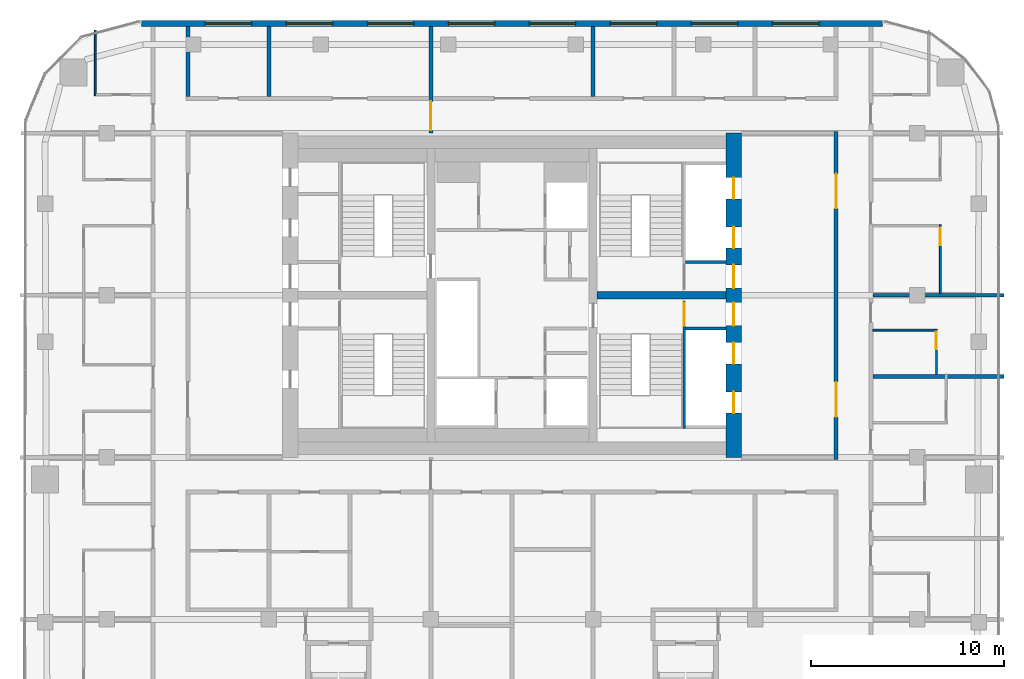
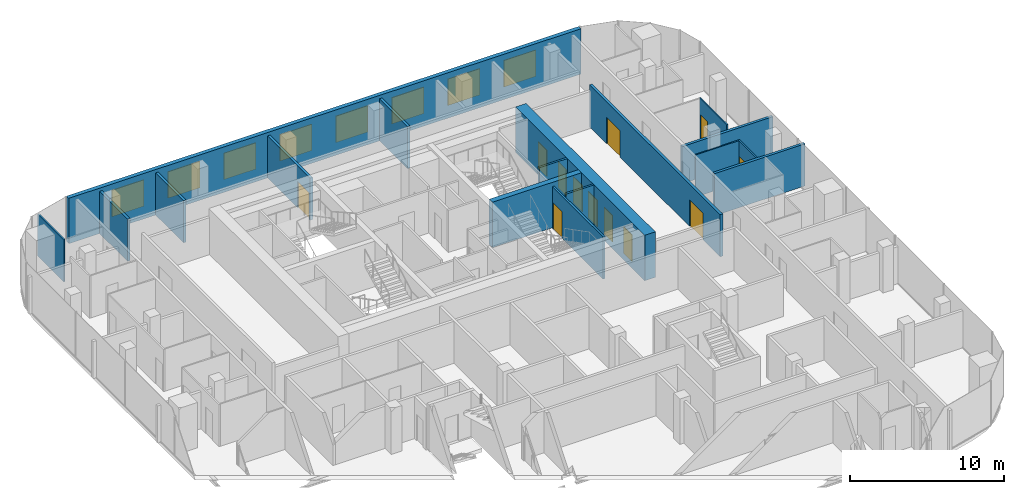
# One storey, part 19 of 21: 17 walls, 12 doors, 8 windows, 20 openings.
"""IFC4 building model written with IfcOpenShell, lengths in metres."""

from ifc_helpers import new_model, si_unit, direction, frame, frame_2d, origin, place, context, subcontext, project, spatial, rectangle, extrude, material, layer, layer_set, type_object, element, fill, save


model = new_model("IFC4")

# Units and contexts
model_context = context("Model", 3, precision=1e-05, world=origin(), true_north=direction((0.0, 1.0)))
body_context = subcontext(model_context, "Body", "Model", "MODEL_VIEW")
ifc_project = project(units=[si_unit("LENGTHUNIT", "METRE"), si_unit("AREAUNIT", "SQUARE_METRE"), si_unit("VOLUMEUNIT", "CUBIC_METRE"), si_unit("PLANEANGLEUNIT", "RADIAN"), si_unit("MASSUNIT", "GRAM", prefix="KILO")], contexts=[model_context])

# Site, building, storey
site_placement = place(None, origin())
site = spatial("IfcSite", under=ifc_project, at=site_placement, CompositionType="ELEMENT")
building_placement = place(site_placement, origin())
building = spatial("IfcBuilding", under=site, at=building_placement, Name="Marenta Gate Hotel Tower", CompositionType="ELEMENT")
storey_placement = place(building_placement, frame((0.0, 0.0, 245.300048828125)))
storey = spatial("IfcBuildingStorey", under=building, at=storey_placement, Name="L58", CompositionType="ELEMENT", Elevation=245.300048828125)

# Wall, openings, windows
ifc_material_1 = material(Name="Concrete C40 board-marked", Category="concrete")
ifc_layer_1 = layer(ifc_material_1, 0.300048828125)
ifc_layer_set_1 = layer_set([ifc_layer_1], Name="Concrete C40 board-marked")
wall_type_1 = type_object("IfcWallType", Name="Board-marked concrete wall 300 mm", PredefinedType="NOTDEFINED", material=ifc_layer_set_1)
wall_1_placement = place(storey_placement, frame((19.205810546875, 22.489990234375, 0.0), z_axis=(0.0, 0.0, 1.0), x_axis=(-1.0, 0.0, 0.0)))
wall_1 = element("IfcWall", 1, at=wall_1_placement, inside=storey, type_object=wall_type_1, Name="L58-CLD-N00", PredefinedType="NOTDEFINED", context=body_context, shape_type="SweptSolid", body=[
    extrude(rectangle(XDim=38.41162109375, YDim=0.300048828125, at=frame_2d((19.205810546875, 0.0))), origin(), (0.0, 0.0, 1.0), 3.599853515625),
])
opening_1_placement = place(wall_1_placement, frame((3.305908203125, 0.0, 0.89990234375)))
opening_1 = element("IfcOpeningElement", 2, at=opening_1_placement, cuts=wall_1, Name="Opening W1", PredefinedType="OPENING", context=body_context, shape_type="SweptSolid", body=[
    extrude(rectangle(XDim=2.39990234375, YDim=2.10009765625, at=frame_2d((1.199951171875, 1.050048828125))), frame((0.0, 0.14990234375, 0.0), z_axis=(0.0, -1.0, 0.0), x_axis=(1.0, 0.0, 0.0)), (0.0, 0.0, 1.0), 0.300048828125),
])
opening_2_placement = place(wall_1_placement, frame((7.505859375, 0.0, 0.89990234375)))
opening_2 = element("IfcOpeningElement", 3, at=opening_2_placement, cuts=wall_1, Name="Opening W1", PredefinedType="OPENING", context=body_context, shape_type="SweptSolid", body=[
    extrude(rectangle(XDim=2.39990234375, YDim=2.10009765625, at=frame_2d((1.199951171875, 1.050048828125))), frame((0.0, 0.14990234375, 0.0), z_axis=(0.0, -1.0, 0.0), x_axis=(1.0, 0.0, 0.0)), (0.0, 0.0, 1.0), 0.300048828125),
])
opening_3_placement = place(wall_1_placement, frame((11.705810546875, 0.0, 0.89990234375)))
opening_3 = element("IfcOpeningElement", 4, at=opening_3_placement, cuts=wall_1, Name="Opening W1", PredefinedType="OPENING", context=body_context, shape_type="SweptSolid", body=[
    extrude(rectangle(XDim=2.39990234375, YDim=2.10009765625, at=frame_2d((1.199951171875, 1.050048828125))), frame((0.0, 0.14990234375, 0.0), z_axis=(0.0, -1.0, 0.0), x_axis=(1.0, 0.0, 0.0)), (0.0, 0.0, 1.0), 0.300048828125),
])
opening_4_placement = place(wall_1_placement, frame((15.906005859375, 0.0, 0.89990234375)))
opening_4 = element("IfcOpeningElement", 5, at=opening_4_placement, cuts=wall_1, Name="Opening W1", PredefinedType="OPENING", context=body_context, shape_type="SweptSolid", body=[
    extrude(rectangle(XDim=2.39990234375, YDim=2.10009765625, at=frame_2d((1.199951171875, 1.050048828125))), frame((0.0, 0.14990234375, 0.0), z_axis=(0.0, -1.0, 0.0), x_axis=(1.0, 0.0, 0.0)), (0.0, 0.0, 1.0), 0.300048828125),
])
opening_5_placement = place(wall_1_placement, frame((20.10595703125, 0.0, 0.89990234375)))
opening_5 = element("IfcOpeningElement", 6, at=opening_5_placement, cuts=wall_1, Name="Opening W1", PredefinedType="OPENING", context=body_context, shape_type="SweptSolid", body=[
    extrude(rectangle(XDim=2.39990234375, YDim=2.10009765625, at=frame_2d((1.199951171875, 1.050048828125))), frame((0.0, 0.14990234375, 0.0), z_axis=(0.0, -1.0, 0.0), x_axis=(1.0, 0.0, 0.0)), (0.0, 0.0, 1.0), 0.300048828125),
])
opening_6_placement = place(wall_1_placement, frame((24.305908203125, 0.0, 0.89990234375)))
opening_6 = element("IfcOpeningElement", 7, at=opening_6_placement, cuts=wall_1, Name="Opening W1", PredefinedType="OPENING", context=body_context, shape_type="SweptSolid", body=[
    extrude(rectangle(XDim=2.39990234375, YDim=2.10009765625, at=frame_2d((1.199951171875, 1.050048828125))), frame((0.0, 0.14990234375, 0.0), z_axis=(0.0, -1.0, 0.0), x_axis=(1.0, 0.0, 0.0)), (0.0, 0.0, 1.0), 0.300048828125),
])
opening_7_placement = place(wall_1_placement, frame((28.505859375, 0.0, 0.89990234375)))
opening_7 = element("IfcOpeningElement", 8, at=opening_7_placement, cuts=wall_1, Name="Opening W1", PredefinedType="OPENING", context=body_context, shape_type="SweptSolid", body=[
    extrude(rectangle(XDim=2.39990234375, YDim=2.10009765625, at=frame_2d((1.199951171875, 1.050048828125))), frame((0.0, 0.14990234375, 0.0), z_axis=(0.0, -1.0, 0.0), x_axis=(1.0, 0.0, 0.0)), (0.0, 0.0, 1.0), 0.300048828125),
])
opening_8_placement = place(wall_1_placement, frame((32.705810546875, 0.0, 0.89990234375)))
opening_8 = element("IfcOpeningElement", 9, at=opening_8_placement, cuts=wall_1, Name="Opening W1", PredefinedType="OPENING", context=body_context, shape_type="SweptSolid", body=[
    extrude(rectangle(XDim=2.39990234375, YDim=2.10009765625, at=frame_2d((1.199951171875, 1.050048828125))), frame((0.0, 0.14990234375, 0.0), z_axis=(0.0, -1.0, 0.0), x_axis=(1.0, 0.0, 0.0)), (0.0, 0.0, 1.0), 0.300048828125),
])
ifc_material_2 = material(Name="Tinted insulated glass in bronze anodised frame", Category="glass")
window_type = type_object("IfcWindowType", Name="Window W1 2400x2100 bronze frame", PartitioningType="SINGLE_PANEL", PredefinedType="WINDOW", material=ifc_material_2)
window_1_placement = place(opening_1_placement, origin())
window_1 = element("IfcWindow", 10, at=window_1_placement, inside=storey, type_object=window_type, Name="Window W1", OverallHeight=2.10009765625, OverallWidth=2.39990234375, PartitioningType="SINGLE_PANEL", PredefinedType="WINDOW", context=body_context, shape_type="SweptSolid", body=[
    extrude(rectangle(XDim=2.39990234375, YDim=2.10009765625, at=frame_2d((1.199951171875, 1.050048828125))), frame((0.0, 0.030029296875, 0.0), z_axis=(0.0, -1.0, 0.0), x_axis=(1.0, 0.0, 0.0)), (0.0, 0.0, 1.0), 0.06005859375),
])
fill(opening_1, window_1)
window_2_placement = place(opening_2_placement, origin())
window_2 = element("IfcWindow", 11, at=window_2_placement, inside=storey, type_object=window_type, Name="Window W1", OverallHeight=2.10009765625, OverallWidth=2.39990234375, PartitioningType="SINGLE_PANEL", PredefinedType="WINDOW", context=body_context, shape_type="SweptSolid", body=[
    extrude(rectangle(XDim=2.39990234375, YDim=2.10009765625, at=frame_2d((1.199951171875, 1.050048828125))), frame((0.0, 0.030029296875, 0.0), z_axis=(0.0, -1.0, 0.0), x_axis=(1.0, 0.0, 0.0)), (0.0, 0.0, 1.0), 0.06005859375),
])
fill(opening_2, window_2)
window_3_placement = place(opening_3_placement, origin())
window_3 = element("IfcWindow", 12, at=window_3_placement, inside=storey, type_object=window_type, Name="Window W1", OverallHeight=2.10009765625, OverallWidth=2.39990234375, PartitioningType="SINGLE_PANEL", PredefinedType="WINDOW", context=body_context, shape_type="SweptSolid", body=[
    extrude(rectangle(XDim=2.39990234375, YDim=2.10009765625, at=frame_2d((1.199951171875, 1.050048828125))), frame((0.0, 0.030029296875, 0.0), z_axis=(0.0, -1.0, 0.0), x_axis=(1.0, 0.0, 0.0)), (0.0, 0.0, 1.0), 0.06005859375),
])
fill(opening_3, window_3)
window_4_placement = place(opening_4_placement, origin())
window_4 = element("IfcWindow", 13, at=window_4_placement, inside=storey, type_object=window_type, Name="Window W1", OverallHeight=2.10009765625, OverallWidth=2.39990234375, PartitioningType="SINGLE_PANEL", PredefinedType="WINDOW", context=body_context, shape_type="SweptSolid", body=[
    extrude(rectangle(XDim=2.39990234375, YDim=2.10009765625, at=frame_2d((1.199951171875, 1.050048828125))), frame((0.0, 0.030029296875, 0.0), z_axis=(0.0, -1.0, 0.0), x_axis=(1.0, 0.0, 0.0)), (0.0, 0.0, 1.0), 0.06005859375),
])
fill(opening_4, window_4)
window_5_placement = place(opening_5_placement, origin())
window_5 = element("IfcWindow", 14, at=window_5_placement, inside=storey, type_object=window_type, Name="Window W1", OverallHeight=2.10009765625, OverallWidth=2.39990234375, PartitioningType="SINGLE_PANEL", PredefinedType="WINDOW", context=body_context, shape_type="SweptSolid", body=[
    extrude(rectangle(XDim=2.39990234375, YDim=2.10009765625, at=frame_2d((1.199951171875, 1.050048828125))), frame((0.0, 0.030029296875, 0.0), z_axis=(0.0, -1.0, 0.0), x_axis=(1.0, 0.0, 0.0)), (0.0, 0.0, 1.0), 0.06005859375),
])
fill(opening_5, window_5)
window_6_placement = place(opening_6_placement, origin())
window_6 = element("IfcWindow", 15, at=window_6_placement, inside=storey, type_object=window_type, Name="Window W1", OverallHeight=2.10009765625, OverallWidth=2.39990234375, PartitioningType="SINGLE_PANEL", PredefinedType="WINDOW", context=body_context, shape_type="SweptSolid", body=[
    extrude(rectangle(XDim=2.39990234375, YDim=2.10009765625, at=frame_2d((1.199951171875, 1.050048828125))), frame((0.0, 0.030029296875, 0.0), z_axis=(0.0, -1.0, 0.0), x_axis=(1.0, 0.0, 0.0)), (0.0, 0.0, 1.0), 0.06005859375),
])
fill(opening_6, window_6)
window_7_placement = place(opening_7_placement, origin())
window_7 = element("IfcWindow", 16, at=window_7_placement, inside=storey, type_object=window_type, Name="Window W1", OverallHeight=2.10009765625, OverallWidth=2.39990234375, PartitioningType="SINGLE_PANEL", PredefinedType="WINDOW", context=body_context, shape_type="SweptSolid", body=[
    extrude(rectangle(XDim=2.39990234375, YDim=2.10009765625, at=frame_2d((1.199951171875, 1.050048828125))), frame((0.0, 0.030029296875, 0.0), z_axis=(0.0, -1.0, 0.0), x_axis=(1.0, 0.0, 0.0)), (0.0, 0.0, 1.0), 0.06005859375),
])
fill(opening_7, window_7)
window_8_placement = place(opening_8_placement, origin())
window_8 = element("IfcWindow", 17, at=window_8_placement, inside=storey, type_object=window_type, Name="Window W1", OverallHeight=2.10009765625, OverallWidth=2.39990234375, PartitioningType="SINGLE_PANEL", PredefinedType="WINDOW", context=body_context, shape_type="SweptSolid", body=[
    extrude(rectangle(XDim=2.39990234375, YDim=2.10009765625, at=frame_2d((1.199951171875, 1.050048828125))), frame((0.0, 0.030029296875, 0.0), z_axis=(0.0, -1.0, 0.0), x_axis=(1.0, 0.0, 0.0)), (0.0, 0.0, 1.0), 0.06005859375),
])
fill(opening_8, window_8)

# Wall, opening, door
ifc_material_3 = material(Name="Concrete blockwork", Category="masonry")
ifc_layer_2 = layer(ifc_material_3, 0.199951171875)
ifc_layer_set_2 = layer_set([ifc_layer_2], Name="Concrete blockwork")
wall_type_2 = type_object("IfcWallType", Name="Compartment wall 200 REI 180", PredefinedType="PARTITIONING", material=ifc_layer_set_2)
wall_2_placement = place(storey_placement, frame((-4.199951171875, 16.800048828125, 0.0), z_axis=(0.0, 0.0, 1.0), x_axis=(0.0, 1.0, 0.0)))
wall_2 = element("IfcWall", 18, at=wall_2_placement, inside=storey, type_object=wall_type_2, Name="L58-PTN-W072", PredefinedType="PARTITIONING", context=body_context, shape_type="SweptSolid", body=[
    extrude(rectangle(XDim=5.5400390625, YDim=0.199951171875, at=frame_2d((2.77001953125, 0.0))), origin(), (0.0, 0.0, 1.0), 3.33984375),
])
opening_9_placement = place(wall_2_placement, frame((0.14990234375, 0.0, 0.0)))
opening_9 = element("IfcOpeningElement", 19, at=opening_9_placement, cuts=wall_2, Name="Opening G21-FD1", PredefinedType="OPENING", context=body_context, shape_type="SweptSolid", body=[
    extrude(rectangle(XDim=1.5, YDim=2.10009765625, at=frame_2d((0.75, 1.050048828125))), frame((0.0, 0.10009765625, 0.0), z_axis=(0.0, -1.0, 0.0), x_axis=(1.0, 0.0, 0.0)), (0.0, 0.0, 1.0), 0.199951171875),
])
ifc_material_4 = material(Name="Hollow steel door set", Category="steel")
door_type_1 = type_object("IfcDoorType", Name="Compartment fire door 1500x2100 EI 60", OperationType="DOUBLE_DOOR_DOUBLE_SWING", PredefinedType="DOOR", material=ifc_material_4)
door_1_placement = place(opening_9_placement, origin())
door_1 = element("IfcDoor", 20, at=door_1_placement, inside=storey, type_object=door_type_1, Name="L58-PD-FD01", OperationType="DOUBLE_DOOR_DOUBLE_SWING", OverallHeight=2.10009765625, OverallWidth=1.5, PredefinedType="DOOR", context=body_context, shape_type="SweptSolid", body=[
    extrude(rectangle(XDim=1.5, YDim=2.10009765625, at=frame_2d((0.75, 1.050048828125))), frame((0.0, 0.02490234375, 0.0), z_axis=(0.0, -1.0, 0.0), x_axis=(1.0, 0.0, 0.0)), (0.0, 0.0, 1.0), 0.050048828125),
])
fill(opening_9, door_1)

# Wall, openings, doors
ifc_material_5 = material(Name="Concrete blockwork", Category="masonry")
ifc_layer_3 = layer(ifc_material_5, 0.199951171875)
ifc_layer_set_3 = layer_set([ifc_layer_3], Name="Concrete blockwork")
wall_type_3 = type_object("IfcWallType", Name="Core boundary wall 200 REI 180", PredefinedType="PARTITIONING", material=ifc_layer_set_3)
wall_3_placement = place(storey_placement, frame((16.800048828125, -0.10009765625, 0.0), z_axis=(0.0, 0.0, 1.0), x_axis=(0.0, 1.0, 0.0)))
wall_3 = element("IfcWall", 21, at=wall_3_placement, inside=storey, type_object=wall_type_3, Name="L58-CP-BW-E", PredefinedType="PARTITIONING", context=body_context, shape_type="SweptSolid", body=[
    extrude(rectangle(XDim=17.0, YDim=0.199951171875, at=frame_2d((8.5, 0.0))), origin(), (0.0, 0.0, 1.0), 3.33984375),
])
opening_10_placement = place(wall_3_placement, frame((2.199951171875, 0.0, 0.0)))
opening_10 = element("IfcOpeningElement", 22, at=opening_10_placement, cuts=wall_3, Name="Opening ED-Ea-B", PredefinedType="OPENING", context=body_context, shape_type="SweptSolid", body=[
    extrude(rectangle(XDim=1.800048828125, YDim=2.10009765625, at=frame_2d((0.89990234375, 1.050048828125))), frame((0.0, 0.10009765625, 0.0), z_axis=(0.0, -1.0, 0.0), x_axis=(1.0, 0.0, 0.0)), (0.0, 0.0, 1.0), 0.199951171875),
])
opening_11_placement = place(wall_3_placement, frame((13.0, 0.0, 0.0)))
opening_11 = element("IfcOpeningElement", 23, at=opening_11_placement, cuts=wall_3, Name="Opening ED-Eb-B", PredefinedType="OPENING", context=body_context, shape_type="SweptSolid", body=[
    extrude(rectangle(XDim=1.800048828125, YDim=2.10009765625, at=frame_2d((0.89990234375, 1.050048828125))), frame((0.0, 0.10009765625, 0.0), z_axis=(0.0, -1.0, 0.0), x_axis=(1.0, 0.0, 0.0)), (0.0, 0.0, 1.0), 0.199951171875),
])
ifc_material_6 = material(Name="Steel", Category="steel")
door_type_2 = type_object("IfcDoorType", Name="Core lobby entrance door 1800x2100 EI 60", OperationType="DOUBLE_DOOR_SINGLE_SWING", PredefinedType="DOOR", material=ifc_material_6)
door_2_placement = place(opening_10_placement, origin())
door_2 = element("IfcDoor", 24, at=door_2_placement, inside=storey, type_object=door_type_2, Name="ED-Ea-B", OperationType="DOUBLE_DOOR_SINGLE_SWING", OverallHeight=2.10009765625, OverallWidth=1.800048828125, PredefinedType="DOOR", context=body_context, shape_type="SweptSolid", body=[
    extrude(rectangle(XDim=1.800048828125, YDim=2.10009765625, at=frame_2d((0.89990234375, 1.050048828125))), frame((0.0, 0.02490234375, 0.0), z_axis=(0.0, -1.0, 0.0), x_axis=(1.0, 0.0, 0.0)), (0.0, 0.0, 1.0), 0.050048828125),
])
fill(opening_10, door_2)
door_3_placement = place(opening_11_placement, origin())
door_3 = element("IfcDoor", 25, at=door_3_placement, inside=storey, type_object=door_type_2, Name="ED-Eb-B", OperationType="DOUBLE_DOOR_SINGLE_SWING", OverallHeight=2.10009765625, OverallWidth=1.800048828125, PredefinedType="DOOR", context=body_context, shape_type="SweptSolid", body=[
    extrude(rectangle(XDim=1.800048828125, YDim=2.10009765625, at=frame_2d((0.89990234375, 1.050048828125))), frame((0.0, 0.02490234375, 0.0), z_axis=(0.0, -1.0, 0.0), x_axis=(1.0, 0.0, 0.0)), (0.0, 0.0, 1.0), 0.050048828125),
])
fill(opening_11, door_3)

# Walls
ifc_material_7 = material(Name="Concrete C40", Category="concrete")
ifc_layer_4 = layer(ifc_material_7, 0.14990234375)
ifc_layer_set_4 = layer_set([ifc_layer_4], Name="Concrete C40")
wall_type_4 = type_object("IfcWallType", Name="Core shaft wall 150 REI 180", PredefinedType="SHEAR", material=ifc_layer_set_4)
for number, where, z_axis, x_axis, name in (
    (26, (9.0, 6.675048828125, 0.0), (0.0, 0.0, 1.0), (1.0, 0.0, 0.0), "L58-SHF-SW-ES-2"),
    (27, (9.0, 10.125, 0.0), (0.0, 0.0, 1.0), (1.0, 0.0, 0.0), "L58-SHF-SW-EN-2"),
):
    element("IfcWall", number, at=place(storey_placement, frame(where, z_axis=z_axis, x_axis=x_axis)), inside=storey, type_object=wall_type_4, Name=name, PredefinedType="SHEAR", context=body_context, shape_type="SweptSolid", body=[
        extrude(rectangle(XDim=2.10009765625, YDim=0.14990234375, at=frame_2d((1.050048828125, 0.0))), origin(), (0.0, 0.0, 1.0), 3.599853515625),
    ])

# Wall, opening, door
ifc_material_8 = material(Name="Concrete C40", Category="concrete")
ifc_layer_5 = layer(ifc_material_8, 0.14990234375)
ifc_layer_set_5 = layer_set([ifc_layer_5], Name="Concrete C40")
wall_type_5 = type_object("IfcWallType", Name="Core stair enclosure wall 150 REI 180", PredefinedType="SHEAR", material=ifc_layer_set_5)
wall_4_placement = place(storey_placement, frame((8.925048828125, 1.5, 0.0), z_axis=(0.0, 0.0, 1.0), x_axis=(0.0, 1.0, 0.0)))
wall_4 = element("IfcWall", 28, at=wall_4_placement, inside=storey, type_object=wall_type_5, Name="L58-SHF-SW-ES-3", PredefinedType="SHEAR", context=body_context, shape_type="SweptSolid", body=[
    extrude(rectangle(XDim=6.60009765625, YDim=0.14990234375, at=frame_2d((3.300048828125, 0.0))), origin(), (0.0, 0.0, 1.0), 3.33984375),
])
opening_12_placement = place(wall_4_placement, frame((5.324951171875, 0.0, 0.0)))
opening_12 = element("IfcOpeningElement", 29, at=opening_12_placement, cuts=wall_4, Name="Opening SD-ES", PredefinedType="OPENING", context=body_context, shape_type="SweptSolid", body=[
    extrude(rectangle(XDim=1.199951171875, YDim=2.10009765625, at=frame_2d((0.60009765625, 1.050048828125))), frame((0.0, 0.074951171875, 0.0), z_axis=(0.0, -1.0, 0.0), x_axis=(1.0, 0.0, 0.0)), (0.0, 0.0, 1.0), 0.14990234375),
])
ifc_material_9 = material(Name="Steel", Category="steel")
door_type_3 = type_object("IfcDoorType", Name="Core stair door 1200x2100 FD60", OperationType="SINGLE_SWING_LEFT", PredefinedType="DOOR", material=ifc_material_9)
door_4_placement = place(opening_12_placement, origin())
door_4 = element("IfcDoor", 30, at=door_4_placement, inside=storey, type_object=door_type_3, Name="SD-ES", OperationType="SINGLE_SWING_LEFT", OverallHeight=2.10009765625, OverallWidth=1.199951171875, PredefinedType="DOOR", context=body_context, shape_type="SweptSolid", body=[
    extrude(rectangle(XDim=1.199951171875, YDim=2.10009765625, at=frame_2d((0.60009765625, 1.050048828125))), frame((0.0, 0.02490234375, 0.0), z_axis=(0.0, -1.0, 0.0), x_axis=(1.0, 0.0, 0.0)), (0.0, 0.0, 1.0), 0.050048828125),
])
fill(opening_12, door_4)

# Wall, openings, doors
ifc_material_10 = material(Name="Concrete C60", Category="concrete")
ifc_layer_6 = layer(ifc_material_10, 0.800048828125)
ifc_layer_set_6 = layer_set([ifc_layer_6], Name="Concrete C60")
wall_type_6 = type_object("IfcWallType", Name="Core wall 800 C60", PredefinedType="SHEAR", material=ifc_layer_set_6)
wall_5_placement = place(storey_placement, frame((11.5, 0.0, 0.0), z_axis=(0.0, 0.0, 1.0), x_axis=(0.0, 1.0, 0.0)))
wall_5 = element("IfcWall", 31, at=wall_5_placement, inside=storey, type_object=wall_type_6, Name="L58-CORE-E", PredefinedType="SHEAR", context=body_context, shape_type="SweptSolid", body=[
    extrude(rectangle(XDim=16.800048828125, YDim=0.800048828125, at=frame_2d((8.39990234375, 0.0))), origin(), (0.0, 0.0, 1.0), 3.599853515625),
])
opening_13_placement = place(wall_5_placement, frame((2.300048828125, 0.0, 0.0)))
opening_13 = element("IfcOpeningElement", 32, at=opening_13_placement, cuts=wall_5, Name="Opening LD-HR1", PredefinedType="OPENING", context=body_context, shape_type="SweptSolid", body=[
    extrude(rectangle(XDim=1.10009765625, YDim=2.10009765625, at=frame_2d((0.550048828125, 1.050048828125))), frame((0.0, 0.39990234375, 0.0), z_axis=(0.0, -1.0, 0.0), x_axis=(1.0, 0.0, 0.0)), (0.0, 0.0, 1.0), 0.800048828125),
])
opening_14_placement = place(wall_5_placement, frame((4.85009765625, 0.0, 0.0)))
opening_14 = element("IfcOpeningElement", 33, at=opening_14_placement, cuts=wall_5, Name="Opening LD-HR2", PredefinedType="OPENING", context=body_context, shape_type="SweptSolid", body=[
    extrude(rectangle(XDim=1.10009765625, YDim=2.10009765625, at=frame_2d((0.550048828125, 1.050048828125))), frame((0.0, 0.39990234375, 0.0), z_axis=(0.0, -1.0, 0.0), x_axis=(1.0, 0.0, 0.0)), (0.0, 0.0, 1.0), 0.800048828125),
])
opening_15_placement = place(wall_5_placement, frame((6.824951171875, 0.0, 0.0)))
opening_15 = element("IfcOpeningElement", 34, at=opening_15_placement, cuts=wall_5, Name="Opening PD-ES", PredefinedType="OPENING", context=body_context, shape_type="SweptSolid", body=[
    extrude(rectangle(XDim=1.199951171875, YDim=2.10009765625, at=frame_2d((0.60009765625, 1.050048828125))), frame((0.0, 0.39990234375, 0.0), z_axis=(0.0, -1.0, 0.0), x_axis=(1.0, 0.0, 0.0)), (0.0, 0.0, 1.0), 0.800048828125),
])
opening_16_placement = place(wall_5_placement, frame((13.39990234375, 0.0, 0.0)))
opening_16 = element("IfcOpeningElement", 35, at=opening_16_placement, cuts=wall_5, Name="Opening LD-HR4", PredefinedType="OPENING", context=body_context, shape_type="SweptSolid", body=[
    extrude(rectangle(XDim=1.10009765625, YDim=2.10009765625, at=frame_2d((0.550048828125, 1.050048828125))), frame((0.0, 0.39990234375, 0.0), z_axis=(0.0, -1.0, 0.0), x_axis=(1.0, 0.0, 0.0)), (0.0, 0.0, 1.0), 0.800048828125),
])
opening_17_placement = place(wall_5_placement, frame((10.85009765625, 0.0, 0.0)))
opening_17 = element("IfcOpeningElement", 36, at=opening_17_placement, cuts=wall_5, Name="Opening LD-HR3", PredefinedType="OPENING", context=body_context, shape_type="SweptSolid", body=[
    extrude(rectangle(XDim=1.10009765625, YDim=2.10009765625, at=frame_2d((0.550048828125, 1.050048828125))), frame((0.0, 0.39990234375, 0.0), z_axis=(0.0, -1.0, 0.0), x_axis=(1.0, 0.0, 0.0)), (0.0, 0.0, 1.0), 0.800048828125),
])
opening_18_placement = place(wall_5_placement, frame((8.77490234375, 0.0, 0.0)))
opening_18 = element("IfcOpeningElement", 37, at=opening_18_placement, cuts=wall_5, Name="Opening PD-EN", PredefinedType="OPENING", context=body_context, shape_type="SweptSolid", body=[
    extrude(rectangle(XDim=1.199951171875, YDim=2.10009765625, at=frame_2d((0.60009765625, 1.050048828125))), frame((0.0, 0.39990234375, 0.0), z_axis=(0.0, -1.0, 0.0), x_axis=(1.0, 0.0, 0.0)), (0.0, 0.0, 1.0), 0.800048828125),
])
ifc_material_11 = material(Name="Steel", Category="steel")
door_type_4 = type_object("IfcDoorType", Name="Core lift landing door 1100x2100 E 60", OperationType="SLIDING_TO_LEFT", PredefinedType="DOOR", material=ifc_material_11)
door_5_placement = place(opening_13_placement, origin())
door_5 = element("IfcDoor", 38, at=door_5_placement, inside=storey, type_object=door_type_4, Name="LD-HR1", OperationType="SLIDING_TO_LEFT", OverallHeight=2.10009765625, OverallWidth=1.10009765625, PredefinedType="DOOR", context=body_context, shape_type="SweptSolid", body=[
    extrude(rectangle(XDim=1.10009765625, YDim=2.10009765625, at=frame_2d((0.550048828125, 1.050048828125))), frame((0.0, 0.02490234375, 0.0), z_axis=(0.0, -1.0, 0.0), x_axis=(1.0, 0.0, 0.0)), (0.0, 0.0, 1.0), 0.050048828125),
])
fill(opening_13, door_5)
door_6_placement = place(opening_14_placement, origin())
door_6 = element("IfcDoor", 39, at=door_6_placement, inside=storey, type_object=door_type_4, Name="LD-HR2", OperationType="SLIDING_TO_LEFT", OverallHeight=2.10009765625, OverallWidth=1.10009765625, PredefinedType="DOOR", context=body_context, shape_type="SweptSolid", body=[
    extrude(rectangle(XDim=1.10009765625, YDim=2.10009765625, at=frame_2d((0.550048828125, 1.050048828125))), frame((0.0, 0.02490234375, 0.0), z_axis=(0.0, -1.0, 0.0), x_axis=(1.0, 0.0, 0.0)), (0.0, 0.0, 1.0), 0.050048828125),
])
fill(opening_14, door_6)
door_7_placement = place(opening_16_placement, origin())
door_7 = element("IfcDoor", 40, at=door_7_placement, inside=storey, type_object=door_type_4, Name="LD-HR4", OperationType="SLIDING_TO_LEFT", OverallHeight=2.10009765625, OverallWidth=1.10009765625, PredefinedType="DOOR", context=body_context, shape_type="SweptSolid", body=[
    extrude(rectangle(XDim=1.10009765625, YDim=2.10009765625, at=frame_2d((0.550048828125, 1.050048828125))), frame((0.0, 0.02490234375, 0.0), z_axis=(0.0, -1.0, 0.0), x_axis=(1.0, 0.0, 0.0)), (0.0, 0.0, 1.0), 0.050048828125),
])
fill(opening_16, door_7)
door_8_placement = place(opening_17_placement, origin())
door_8 = element("IfcDoor", 41, at=door_8_placement, inside=storey, type_object=door_type_4, Name="LD-HR3", OperationType="SLIDING_TO_LEFT", OverallHeight=2.10009765625, OverallWidth=1.10009765625, PredefinedType="DOOR", context=body_context, shape_type="SweptSolid", body=[
    extrude(rectangle(XDim=1.10009765625, YDim=2.10009765625, at=frame_2d((0.550048828125, 1.050048828125))), frame((0.0, 0.02490234375, 0.0), z_axis=(0.0, -1.0, 0.0), x_axis=(1.0, 0.0, 0.0)), (0.0, 0.0, 1.0), 0.050048828125),
])
fill(opening_17, door_8)
ifc_material_12 = material(Name="Steel", Category="steel")
door_type_5 = type_object("IfcDoorType", Name="Core lobby door 1200x2100 FD60", OperationType="SINGLE_SWING_LEFT", PredefinedType="DOOR", material=ifc_material_12)
door_9_placement = place(opening_15_placement, origin())
door_9 = element("IfcDoor", 42, at=door_9_placement, inside=storey, type_object=door_type_5, Name="PD-ES", OperationType="SINGLE_SWING_LEFT", OverallHeight=2.10009765625, OverallWidth=1.199951171875, PredefinedType="DOOR", context=body_context, shape_type="SweptSolid", body=[
    extrude(rectangle(XDim=1.199951171875, YDim=2.10009765625, at=frame_2d((0.60009765625, 1.050048828125))), frame((0.0, 0.02490234375, 0.0), z_axis=(0.0, -1.0, 0.0), x_axis=(1.0, 0.0, 0.0)), (0.0, 0.0, 1.0), 0.050048828125),
])
fill(opening_15, door_9)
door_10_placement = place(opening_18_placement, origin())
door_10 = element("IfcDoor", 43, at=door_10_placement, inside=storey, type_object=door_type_5, Name="PD-EN", OperationType="SINGLE_SWING_LEFT", OverallHeight=2.10009765625, OverallWidth=1.199951171875, PredefinedType="DOOR", context=body_context, shape_type="SweptSolid", body=[
    extrude(rectangle(XDim=1.199951171875, YDim=2.10009765625, at=frame_2d((0.60009765625, 1.050048828125))), frame((0.0, 0.02490234375, 0.0), z_axis=(0.0, -1.0, 0.0), x_axis=(1.0, 0.0, 0.0)), (0.0, 0.0, 1.0), 0.050048828125),
])
fill(opening_18, door_10)

# Walls
ifc_material_13 = material(Name="Concrete C60", Category="concrete")
ifc_layer_7 = layer(ifc_material_13, 0.39990234375)
ifc_layer_set_7 = layer_set([ifc_layer_7], Name="Concrete C60")
wall_type_7 = type_object("IfcWallType", Name="Core web 400 C60", PredefinedType="SHEAR", material=ifc_layer_set_7)
wall_6_placement = place(storey_placement, frame((4.39990234375, 8.39990234375, 0.0), z_axis=(0.0, 0.0, 1.0), x_axis=(1.0, 0.0, 0.0)))
element("IfcWall", 44, at=wall_6_placement, inside=storey, type_object=wall_type_7, Name="L58-CORE-W4", PredefinedType="SHEAR", context=body_context, shape_type="SweptSolid", body=[
    extrude(rectangle(XDim=6.7001953125, YDim=0.39990234375, at=frame_2d((3.35009765625, 0.0))), origin(), (0.0, 0.0, 1.0), 3.599853515625),
])
ifc_material_14 = material(Name="Gypsum board on steel stud", Category="steel")
ifc_layer_8 = layer(ifc_material_14, 0.199951171875)
ifc_layer_set_8 = layer_set([ifc_layer_8], Name="Gypsum board on steel stud")
wall_type_8 = type_object("IfcWallType", Name="Room corridor wall 200 EI 60", PredefinedType="PARTITIONING", material=ifc_layer_set_8)
wall_7_placement = place(storey_placement, frame((-16.800048828125, 18.699951171875, 0.0), z_axis=(0.0, 0.0, 1.0), x_axis=(0.0, 1.0, 0.0)))
element("IfcWall", 45, at=wall_7_placement, inside=storey, type_object=wall_type_8, Name="L58-PTN-W098", PredefinedType="PARTITIONING", context=body_context, shape_type="SweptSolid", body=[
    extrude(rectangle(XDim=3.64013671875, YDim=0.199951171875, at=frame_2d((1.820068359375, 0.0))), origin(), (0.0, 0.0, 1.0), 3.33984375),
])

# Wall, opening, door
ifc_material_15 = material(Name="Gypsum board on steel stud", Category="steel")
ifc_layer_9 = layer(ifc_material_15, 0.10009765625)
ifc_layer_set_9 = layer_set([ifc_layer_9], Name="Gypsum board on steel stud")
wall_type_9 = type_object("IfcWallType", Name="Room partition 100", PredefinedType="PARTITIONING", material=ifc_layer_set_9)
wall_8_placement = place(storey_placement, frame((22.199951171875, 8.5, 0.0), z_axis=(0.0, 0.0, 1.0), x_axis=(0.0, 1.0, 0.0)))
wall_8 = element("IfcWall", 46, at=wall_8_placement, inside=storey, type_object=wall_type_9, Name="L58-PTN-W008", PredefinedType="PARTITIONING", context=body_context, shape_type="SweptSolid", body=[
    extrude(rectangle(XDim=3.550048828125, YDim=0.10009765625, at=frame_2d((1.77490234375, 0.0))), origin(), (0.0, 0.0, 1.0), 3.33984375),
])
opening_19_placement = place(wall_8_placement, frame((2.5, 0.0, 0.0)))
opening_19 = element("IfcOpeningElement", 47, at=opening_19_placement, cuts=wall_8, Name="Opening G21-25", PredefinedType="OPENING", context=body_context, shape_type="SweptSolid", body=[
    extrude(rectangle(XDim=0.89990234375, YDim=2.10009765625, at=frame_2d((0.449951171875, 1.050048828125))), frame((0.0, 0.050048828125, 0.0), z_axis=(0.0, -1.0, 0.0), x_axis=(1.0, 0.0, 0.0)), (0.0, 0.0, 1.0), 0.10009765625),
])
ifc_material_16 = material(Name="Timber door leaf", Category="wood")
door_type_6 = type_object("IfcDoorType", Name="Guest bathroom door 900x2100", OperationType="NOTDEFINED", PredefinedType="DOOR", material=ifc_material_16)
door_11_placement = place(opening_19_placement, origin())
door_11 = element("IfcDoor", 48, at=door_11_placement, inside=storey, type_object=door_type_6, Name="L58-PD-D025", OperationType="SINGLE_SWING_RIGHT", OverallHeight=2.10009765625, OverallWidth=0.89990234375, PredefinedType="DOOR", context=body_context, shape_type="SweptSolid", body=[
    extrude(rectangle(XDim=0.89990234375, YDim=2.10009765625, at=frame_2d((0.449951171875, 1.050048828125))), frame((0.0, 0.02490234375, 0.0), z_axis=(0.0, -1.0, 0.0), x_axis=(1.0, 0.0, 0.0)), (0.0, 0.0, 1.0), 0.050048828125),
])
fill(opening_19, door_11)

wall_9_placement = place(storey_placement, frame((22.0, 4.300048828125, 0.0), z_axis=(0.0, 0.0, 1.0), x_axis=(0.0, 1.0, 0.0)))
wall_9 = element("IfcWall", 49, at=wall_9_placement, inside=storey, type_object=wall_type_9, Name="L58-PTN-W010", PredefinedType="PARTITIONING", context=body_context, shape_type="SweptSolid", body=[
    extrude(rectangle(XDim=2.349853515625, YDim=0.10009765625, at=frame_2d((1.1748046875, 0.0))), origin(), (0.0, 0.0, 1.0), 3.33984375),
])
opening_20_placement = place(wall_9_placement, frame((1.300048828125, 0.0, 0.0)))
opening_20 = element("IfcOpeningElement", 50, at=opening_20_placement, cuts=wall_9, Name="Opening G21-23", PredefinedType="OPENING", context=body_context, shape_type="SweptSolid", body=[
    extrude(rectangle(XDim=0.89990234375, YDim=2.10009765625, at=frame_2d((0.449951171875, 1.050048828125))), frame((0.0, 0.050048828125, 0.0), z_axis=(0.0, -1.0, 0.0), x_axis=(1.0, 0.0, 0.0)), (0.0, 0.0, 1.0), 0.10009765625),
])
door_12_placement = place(opening_20_placement, origin())
door_12 = element("IfcDoor", 51, at=door_12_placement, inside=storey, type_object=door_type_6, Name="L58-PD-D023", OperationType="SINGLE_SWING_RIGHT", OverallHeight=2.10009765625, OverallWidth=0.89990234375, PredefinedType="DOOR", context=body_context, shape_type="SweptSolid", body=[
    extrude(rectangle(XDim=0.89990234375, YDim=2.10009765625, at=frame_2d((0.449951171875, 1.050048828125))), frame((0.0, 0.02490234375, 0.0), z_axis=(0.0, -1.0, 0.0), x_axis=(1.0, 0.0, 0.0)), (0.0, 0.0, 1.0), 0.050048828125),
])
fill(opening_20, door_12)

# Walls
wall_10_placement = place(storey_placement, frame((18.699951171875, 6.60009765625, 0.0), z_axis=(0.0, 0.0, 1.0), x_axis=(1.0, 0.0, 0.0)))
element("IfcWall", 52, at=wall_10_placement, inside=storey, type_object=wall_type_9, Name="L58-PTN-W076", PredefinedType="PARTITIONING", context=body_context, shape_type="SweptSolid", body=[
    extrude(rectangle(XDim=3.25, YDim=0.10009765625, at=frame_2d((1.625, 0.0))), origin(), (0.0, 0.0, 1.0), 3.33984375),
])
wall_11_placement = place(storey_placement, frame((-21.60009765625, 18.75, 0.0), z_axis=(0.0, 0.0, 1.0), x_axis=(0.0, 1.0, 0.0)))
element("IfcWall", 53, at=wall_11_placement, inside=storey, type_object=wall_type_9, Name="L58-PTN-W105", PredefinedType="PARTITIONING", context=body_context, shape_type="SweptSolid", body=[
    extrude(rectangle(XDim=3.39501953125, YDim=0.10009765625, at=frame_2d((1.697509765625, 0.0))), origin(), (0.0, 0.0, 1.0), 3.33984375),
])
ifc_material_17 = material(Name="Gypsum board on steel stud", Category="steel")
ifc_layer_10 = layer(ifc_material_17, 0.199951171875)
ifc_layer_set_10 = layer_set([ifc_layer_10], Name="Gypsum board on steel stud")
wall_type_10 = type_object("IfcWallType", Name="Room party wall 200 EI 60", PredefinedType="PARTITIONING", material=ifc_layer_set_10)
wall_12_placement = place(storey_placement, frame((4.199951171875, 18.699951171875, 0.0), z_axis=(0.0, 0.0, 1.0), x_axis=(0.0, 1.0, 0.0)))
element("IfcWall", 54, at=wall_12_placement, inside=storey, type_object=wall_type_10, Name="L58-PTN-W057", PredefinedType="PARTITIONING", context=body_context, shape_type="SweptSolid", body=[
    extrude(rectangle(XDim=3.64013671875, YDim=0.199951171875, at=frame_2d((1.820068359375, 0.0))), origin(), (0.0, 0.0, 1.0), 3.33984375),
])
wall_13_placement = place(storey_placement, frame((18.699951171875, 4.199951171875, 0.0), z_axis=(0.0, 0.0, 1.0), x_axis=(1.0, 0.0, 0.0)))
element("IfcWall", 55, at=wall_13_placement, inside=storey, type_object=wall_type_10, Name="L58-PTN-W073", PredefinedType="PARTITIONING", context=body_context, shape_type="SweptSolid", body=[
    extrude(rectangle(XDim=6.800048828125, YDim=0.199951171875, at=frame_2d((3.39990234375, 0.0))), origin(), (0.0, 0.0, 1.0), 3.33984375),
])
wall_14_placement = place(storey_placement, frame((18.699951171875, 8.39990234375, 0.0), z_axis=(0.0, 0.0, 1.0), x_axis=(1.0, 0.0, 0.0)))
element("IfcWall", 56, at=wall_14_placement, inside=storey, type_object=wall_type_10, Name="L58-PTN-W082", PredefinedType="PARTITIONING", context=body_context, shape_type="SweptSolid", body=[
    extrude(rectangle(XDim=6.800048828125, YDim=0.199951171875, at=frame_2d((3.39990234375, 0.0))), origin(), (0.0, 0.0, 1.0), 2.93994140625),
])
wall_15_placement = place(storey_placement, frame((-12.60009765625, 18.699951171875, 0.0), z_axis=(0.0, 0.0, 1.0), x_axis=(0.0, 1.0, 0.0)))
element("IfcWall", 57, at=wall_15_placement, inside=storey, type_object=wall_type_10, Name="L58-PTN-W090", PredefinedType="PARTITIONING", context=body_context, shape_type="SweptSolid", body=[
    extrude(rectangle(XDim=3.64013671875, YDim=0.199951171875, at=frame_2d((1.820068359375, 0.0))), origin(), (0.0, 0.0, 1.0), 3.33984375),
])

save(model, "model.ifc")
